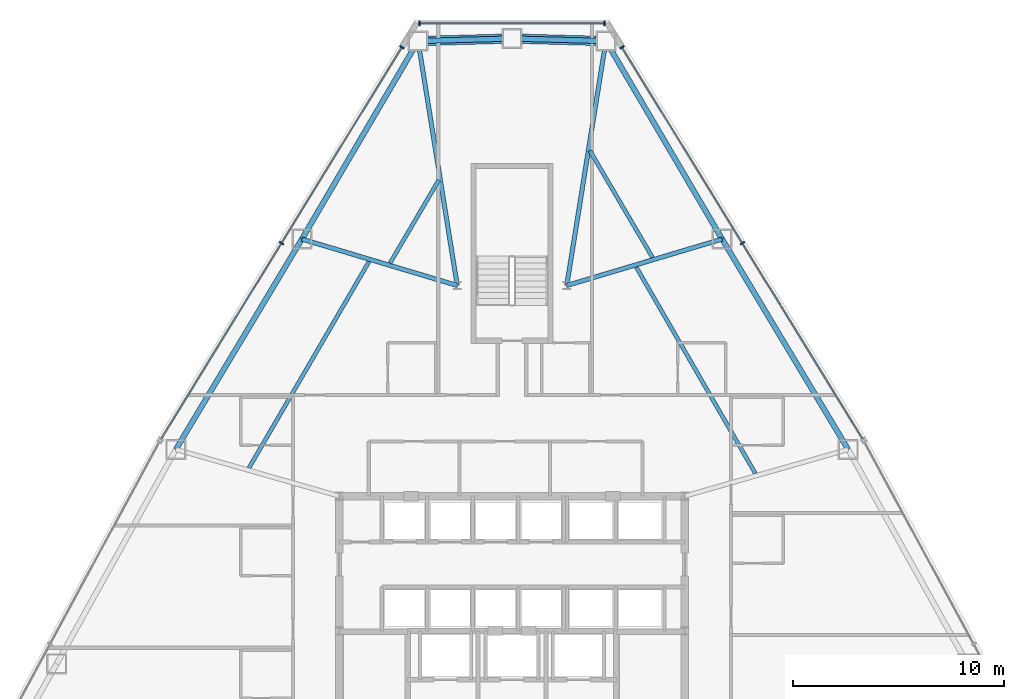
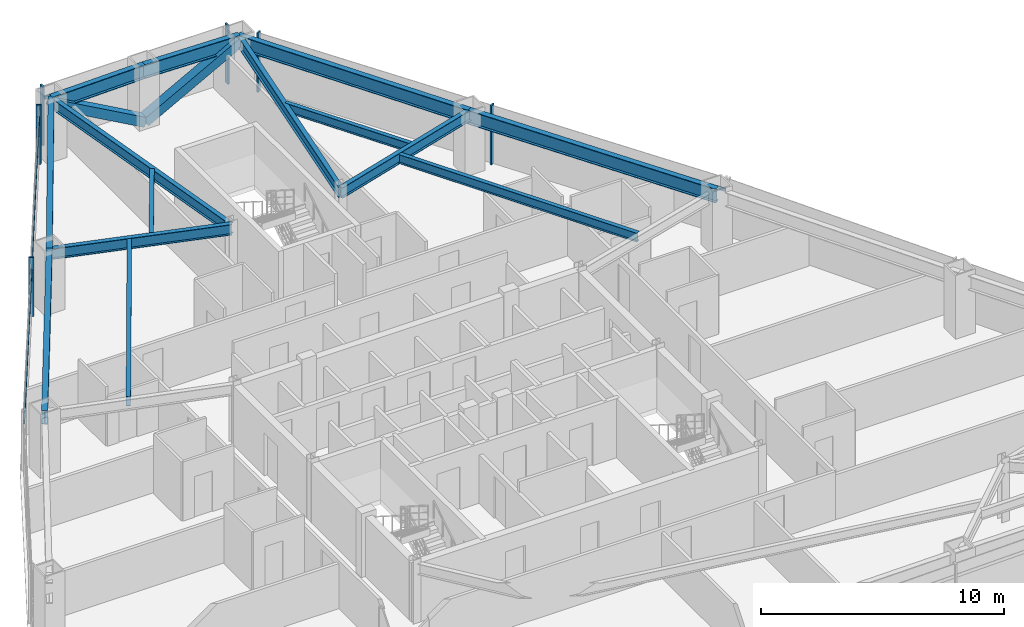
# One storey, part 7 of 13: 14 beams, 11 members, 3 elements without a shape of their own.
"""IFC4 building model written with IfcOpenShell, lengths in metres."""

from ifc_helpers import new_model, si_unit, direction, frame, origin, origin_2d, place, context, subcontext, project, spatial, rectangle, hollow_rectangle, i_section, extrude, source, transform, mapped, material, layer, layer_set, material_profile, profile_set, type_object, type_shapes, element, aggregate, save


model = new_model("IFC4")

# Units and contexts
model_context = context("Model", 3, precision=1e-05, world=origin(), true_north=direction((0.0, 1.0)))
body_context = subcontext(model_context, "Body", "Model", "MODEL_VIEW")
ifc_project = project(units=[si_unit("LENGTHUNIT", "METRE"), si_unit("AREAUNIT", "SQUARE_METRE"), si_unit("VOLUMEUNIT", "CUBIC_METRE"), si_unit("PLANEANGLEUNIT", "RADIAN"), si_unit("MASSUNIT", "GRAM", prefix="KILO")], contexts=[model_context])

# Site, building, storey
site_placement = place(None, origin())
site = spatial("IfcSite", under=ifc_project, at=site_placement, CompositionType="ELEMENT")
building_placement = place(site_placement, origin())
building = spatial("IfcBuilding", under=site, at=building_placement, Name="Varakhsha Concourse Tower", CompositionType="ELEMENT")
storey_placement = place(building_placement, frame((0.0, 0.0, 102.199951171875)))
storey = spatial("IfcBuildingStorey", under=building, at=storey_placement, Name="L29", CompositionType="ELEMENT", Elevation=102.199951171875)

# Beams
ifc_material_1 = material(Name="Structural Steel ASTM A992 Grade 50", Category="steel")
ifc_material_profile_1 = material_profile(ifc_material_1, i_section(OverallWidth=0.19091796875, OverallDepth=0.45703125, WebThickness=0.009033203125, FlangeThickness=0.013916015625, at=origin_2d()), Name="W18X50")
ifc_profile_set_1 = profile_set([ifc_material_profile_1], Name="Structural Steel ASTM A992 Grade 50")
beam_type_1 = type_object("IfcBeamType", Name="BM-JST-W18X50", PredefinedType="JOIST", material=ifc_profile_set_1)
beam_1_placement = place(storey_placement, frame((36.526611328125, 46.212646484375, 2.741455078125), z_axis=(-0.50607121558, -0.862491695474, 0.0), x_axis=(0.862491695474, -0.50607121558, 0.0)))
element("IfcBeam", 1, at=beam_1_placement, inside=storey, type_object=beam_type_1, Name="BM-TJST-L29-03", PredefinedType="JOIST", context=body_context, shape_type="SweptSolid", body=[
    extrude(i_section(OverallWidth=0.19091796875, OverallDepth=0.45703125, WebThickness=0.009033203125, FlangeThickness=0.013916015625, at=origin_2d()), origin(), (0.0, 0.0, 1.0), 4.57763671875),
])
beam_2_placement = place(storey_placement, frame((33.2138671875, 42.339111328125, 2.741455078125), z_axis=(-0.502984798182, -0.864295257882, 0.0), x_axis=(0.864295257882, -0.502984798182, 0.0)))
element("IfcBeam", 2, at=beam_2_placement, inside=storey, type_object=beam_type_1, Name="BM-TJST-L29-04", PredefinedType="JOIST", context=body_context, shape_type="SweptSolid", body=[
    extrude(i_section(OverallWidth=0.19091796875, OverallDepth=0.45703125, WebThickness=0.009033203125, FlangeThickness=0.013916015625, at=origin_2d()), origin(), (0.0, 0.0, 1.0), 11.342529296875),
])
beam_3_placement = place(storey_placement, frame((51.560302734375, 32.27001953125, 2.741455078125), z_axis=(-0.499938383188, 0.866060975345, 0.0), x_axis=(-0.866060975345, -0.499938383188, 0.0)))
element("IfcBeam", 3, at=beam_3_placement, inside=storey, type_object=beam_type_1, Name="BM-TJST-L29-17", PredefinedType="JOIST", context=body_context, shape_type="SweptSolid", body=[
    extrude(i_section(OverallWidth=0.19091796875, OverallDepth=0.45703125, WebThickness=0.009033203125, FlangeThickness=0.013916015625, at=origin_2d()), origin(), (0.0, 0.0, 1.0), 11.32080078125),
])
beam_4_placement = place(storey_placement, frame((46.67529296875, 42.529052734375, 2.741455078125), z_axis=(-0.506102653482, 0.862473248361, 0.0), x_axis=(-0.862473248361, -0.506102653482, 0.0)))
element("IfcBeam", 4, at=beam_4_placement, inside=storey, type_object=beam_type_1, Name="BM-TJST-L29-18", PredefinedType="JOIST", context=body_context, shape_type="SweptSolid", body=[
    extrude(i_section(OverallWidth=0.19091796875, OverallDepth=0.45703125, WebThickness=0.009033203125, FlangeThickness=0.013916015625, at=origin_2d()), origin(), (0.0, 0.0, 1.0), 5.88623046875),
])
ifc_material_profile_2 = material_profile(ifc_material_1, i_section(OverallWidth=0.2109375, OverallDepth=0.5390625, WebThickness=0.011962890625, FlangeThickness=0.01904296875, at=origin_2d()), Name="W21X73")
ifc_profile_set_2 = profile_set([ifc_material_profile_2], Name="Structural Steel ASTM A992 Grade 50")
beam_type_2 = type_object("IfcBeamType", Name="BM-RAD-W21X73", PredefinedType="BEAM", material=ifc_profile_set_2)
for number, where, z_axis, x_axis, name in (
    (5, (42.60009765625, 41.199951171875, 2.700439453125), (0.158084457656, 0.987425594284, 0.0), (-0.987425594284, 0.158084457656, 0.0), "L29 Radial Floor Girder 01"),
    (6, (37.39990234375, 41.199951171875, 2.700439453125), (-0.158084457656, 0.987425594284, 0.0), (-0.987425594284, -0.158084457656, 0.0), "L29 Radial Floor Girder 03"),
):
    element("IfcBeam", number, at=place(storey_placement, frame(where, z_axis=z_axis, x_axis=x_axis)), inside=storey, type_object=beam_type_2, Name=name, PredefinedType="BEAM", context=body_context, shape_type="SweptSolid", body=[
        extrude(i_section(OverallWidth=0.2109375, OverallDepth=0.5390625, WebThickness=0.011962890625, FlangeThickness=0.01904296875, at=origin_2d()), origin(), (0.0, 0.0, 1.0), 11.755615234375),
    ])
for number, where, z_axis, x_axis, name in (
    (7, (37.39990234375, 41.199951171875, 2.700439453125), (-0.958150359445, 0.286265416519, 0.0), (-0.286265416519, -0.958150359445, 0.0), "L29 Radial Floor Girder 04"),
    (8, (42.60009765625, 41.199951171875, 2.700439453125), (0.958150359445, 0.286265416519, 0.0), (-0.286265416519, 0.958150359445, 0.0), "L29 Radial Floor Girder 18"),
):
    element("IfcBeam", number, at=place(storey_placement, frame(where, z_axis=z_axis, x_axis=x_axis)), inside=storey, type_object=beam_type_2, Name=name, PredefinedType="BEAM", context=body_context, shape_type="SweptSolid", body=[
        extrude(i_section(OverallWidth=0.2109375, OverallDepth=0.5390625, WebThickness=0.011962890625, FlangeThickness=0.01904296875, at=origin_2d()), origin(), (0.0, 0.0, 1.0), 7.69873046875),
    ])
ifc_material_profile_3 = material_profile(ifc_material_1, i_section(OverallWidth=0.25390625, OverallDepth=0.701904296875, WebThickness=0.014892578125, FlangeThickness=0.028076171875, at=origin_2d()), Name="W27X129")
ifc_profile_set_3 = profile_set([ifc_material_profile_3], Name="Structural Steel ASTM A992 Grade 50")
beam_type_3 = type_object("IfcBeamType", Name="BM-SPAN-W27X129", PredefinedType="SPANDREL", material=ifc_profile_set_3)
for number, where, z_axis, x_axis, name in (
    (9, (44.45849609375, 52.807861328125, 2.619140625), (-0.999638755759, 0.026876718272, 0.0), (-0.026876718272, -0.999638755759, 0.0), "BM-SPAN-L29-01"),
    (10, (40.0, 52.927734375, 2.619140625), (-0.999638755759, -0.026876718272, 0.0), (0.026876718272, -0.999638755759, 0.0), "BM-SPAN-L29-02"),
):
    element("IfcBeam", number, at=place(storey_placement, frame(where, z_axis=z_axis, x_axis=x_axis)), inside=storey, type_object=beam_type_3, Name=name, PredefinedType="SPANDREL", context=body_context, shape_type="SweptSolid", body=[
        extrude(i_section(OverallWidth=0.25390625, OverallDepth=0.701904296875, WebThickness=0.014892578125, FlangeThickness=0.028076171875, at=origin_2d()), origin(), (0.0, 0.0, 1.0), 4.460205078125),
    ])
beam_5_placement = place(storey_placement, frame((35.54150390625, 52.807861328125, 2.619140625), z_axis=(-0.506084350655, -0.86248398827, 0.0), x_axis=(0.86248398827, -0.506084350655, 0.0)))
element("IfcBeam", 11, at=beam_5_placement, inside=storey, type_object=beam_type_3, Name="BM-SPAN-L29-03", PredefinedType="SPANDREL", context=body_context, shape_type="SweptSolid", body=[
    extrude(i_section(OverallWidth=0.25390625, OverallDepth=0.701904296875, WebThickness=0.014892578125, FlangeThickness=0.028076171875, at=origin_2d()), origin(), (0.0, 0.0, 1.0), 10.903564453125),
])
for number, where, z_axis, x_axis, name in (
    (12, (30.0234375, 43.40380859375, 2.619140625), (-0.513999251176, -0.857790632841, 0.0), (0.857790632841, -0.513999251176, 0.0), "BM-SPAN-L29-04"),
    (13, (55.961669921875, 33.41552734375, 2.619140625), (-0.513999251176, 0.857790632841, 0.0), (-0.857790632841, -0.513999251176, 0.0), "BM-SPAN-L29-17"),
):
    element("IfcBeam", number, at=place(storey_placement, frame(where, z_axis=z_axis, x_axis=x_axis)), inside=storey, type_object=beam_type_3, Name=name, PredefinedType="SPANDREL", context=body_context, shape_type="SweptSolid", body=[
        extrude(i_section(OverallWidth=0.25390625, OverallDepth=0.701904296875, WebThickness=0.014892578125, FlangeThickness=0.028076171875, at=origin_2d()), origin(), (0.0, 0.0, 1.0), 11.644287109375),
    ])
beam_6_placement = place(storey_placement, frame((49.9765625, 43.40380859375, 2.619140625), z_axis=(-0.506084350655, 0.86248398827, 0.0), x_axis=(-0.86248398827, -0.506084350655, 0.0)))
element("IfcBeam", 14, at=beam_6_placement, inside=storey, type_object=beam_type_3, Name="BM-SPAN-L29-18", PredefinedType="SPANDREL", context=body_context, shape_type="SweptSolid", body=[
    extrude(i_section(OverallWidth=0.25390625, OverallDepth=0.701904296875, WebThickness=0.014892578125, FlangeThickness=0.028076171875, at=origin_2d()), origin(), (0.0, 0.0, 1.0), 10.903564453125),
])

# Members
ifc_material_2 = material(Name="Structural Steel ASTM A500 Grade C", Category="steel")
ifc_material_profile_4 = material_profile(ifc_material_2, hollow_rectangle(XDim=0.449951171875, YDim=0.449951171875, WallThickness=0.01904296875, at=origin_2d()), Name="HSS 450x450x19")
ifc_profile_set_4 = profile_set([ifc_material_profile_4], Name="Structural Steel ASTM A500 Grade C")
member_type_1 = type_object("IfcMemberType", Name="MB-TUBE-HSS450", PredefinedType="BRACE", material=ifc_profile_set_4)
shared_shape_1 = source(origin(), body_context, "Body", "SweptSolid", [
    extrude(hollow_rectangle(XDim=0.449951171875, YDim=0.449951171875, WallThickness=0.01904296875, at=origin_2d()), origin(), (0.0, 0.0, 1.0), 5.1376953125),
])
type_shapes(member_type_1, [shared_shape_1])
for number, where, z_axis, x_axis, name in (
    (15, (40.0, 52.927734375, 0.1201171875), (0.867810778651, -0.023332334482, 0.496346708083), (0.026876718272, 0.999638755759, 0.0), "L29 Wind-Corner Tube Brace B01"),
    (16, (40.0, 52.927734375, 0.1201171875), (-0.867810778651, -0.023332334482, 0.496346708083), (0.026876718272, -0.999638755759, 0.0), "L29 Wind-Corner Tube Brace B02"),
):
    element("IfcMember", number, at=place(storey_placement, frame(where, z_axis=z_axis, x_axis=x_axis)), inside=storey, type_object=member_type_1, Name=name, PredefinedType="BRACE", context=body_context, shape_type="MappedRepresentation", body=[
        mapped(shared_shape_1, transform((0.0, 0.0, 0.0), scale=1.0)),
    ])

# Curtain wall, members
ifc_material_3 = material(Name="Anodised Bronze Architectural Aluminium AA 6063-T6", Category="aluminium")
ifc_layer = layer(ifc_material_3, 0.199951171875, Name="CW-SYS-03")
ifc_layer_set = layer_set([ifc_layer], Name="Anodised Bronze Architectural Aluminium AA 6063-T6")
curtain_wall_type = type_object("IfcCurtainWallType", Name="CW-SYS-03", PredefinedType="NOTDEFINED", material=ifc_layer_set)
curtain_wall_1_placement = place(storey_placement, origin())
curtain_wall_1 = element("IfcCurtainWall", 17, at=curtain_wall_1_placement, inside=storey, type_object=curtain_wall_type, Name="L29 Chamfer Curtain Wall F1", PredefinedType="NOTDEFINED")
ifc_material_profile_5 = material_profile(ifc_material_3, rectangle(XDim=0.074951171875, YDim=0.219970703125, at=origin_2d()), Name="CWM-220X75")
ifc_profile_set_5 = profile_set([ifc_material_profile_5], Name="Anodised Bronze Architectural Aluminium AA 6063-T6")
member_type_2 = type_object("IfcMemberType", Name="CWM-220X75", PredefinedType="MULLION", material=ifc_profile_set_5)
shared_shape_2 = source(origin(), body_context, "Body", "SweptSolid", [
    extrude(rectangle(XDim=0.074951171875, YDim=0.219970703125, at=origin_2d()), origin(), (0.0, 0.0, 1.0), 2.969970703125),
])
type_shapes(member_type_2, [shared_shape_2])
member_1_placement = place(storey_placement, frame((35.605712890625, 53.647705078125, 0.0), z_axis=(0.0, 0.0, 1.0), x_axis=(1.0, 0.0, 0.0)))
member_1 = element("IfcMember", 18, at=member_1_placement, type_object=member_type_2, Name="CW-L29-F1 Mullion 00", PredefinedType="MULLION", context=body_context, shape_type="MappedRepresentation", body=[
    mapped(shared_shape_2, transform((0.0, 0.0, 0.0), scale=1.0)),
])
member_2_placement = place(storey_placement, frame((44.394287109375, 53.647705078125, 0.0), z_axis=(0.0, 0.0, 1.0), x_axis=(1.0, 0.0, 0.0)))
member_2 = element("IfcMember", 19, at=member_2_placement, type_object=member_type_2, Name="CW-L29-F1 Mullion 01", PredefinedType="MULLION", context=body_context, shape_type="MappedRepresentation", body=[
    mapped(shared_shape_2, transform((0.0, 0.0, 0.0), scale=1.0)),
])

curtain_wall_2_placement = place(storey_placement, origin())
curtain_wall_2 = element("IfcCurtainWall", 20, at=curtain_wall_2_placement, inside=storey, type_object=curtain_wall_type, Name="L29 Crystal Curtain Wall F2", PredefinedType="NOTDEFINED")
member_3_placement = place(storey_placement, frame((29.059326171875, 43.210205078125, 0.0), z_axis=(0.0, 0.0, 1.0), x_axis=(0.523664775253, 0.851924411646, 0.0)))
member_3 = element("IfcMember", 21, at=member_3_placement, type_object=member_type_2, Name="CW-L29-F2 Mullion 01", PredefinedType="MULLION", context=body_context, shape_type="MappedRepresentation", body=[
    mapped(shared_shape_2, transform((0.0, 0.0, 0.0), scale=1.0)),
])
member_4_placement = place(storey_placement, frame((34.7783203125, 52.514404296875, 0.0), z_axis=(0.0, 0.0, 1.0), x_axis=(0.523664775253, 0.851924411646, 0.0)))
member_4 = element("IfcMember", 22, at=member_4_placement, type_object=member_type_2, Name="CW-L29-F2 Mullion 02", PredefinedType="MULLION", context=body_context, shape_type="MappedRepresentation", body=[
    mapped(shared_shape_2, transform((0.0, 0.0, 0.0), scale=1.0)),
])

curtain_wall_3_placement = place(storey_placement, origin())
curtain_wall_3 = element("IfcCurtainWall", 23, at=curtain_wall_3_placement, inside=storey, type_object=curtain_wall_type, Name="L29 Crystal Curtain Wall F9", PredefinedType="NOTDEFINED")
member_5_placement = place(storey_placement, frame((45.2216796875, 52.514404296875, 0.0), z_axis=(0.0, 0.0, 1.0), x_axis=(0.523664775253, -0.851924411646, 0.0)))
member_5 = element("IfcMember", 24, at=member_5_placement, type_object=member_type_2, Name="CW-L29-F9 Mullion 00", PredefinedType="MULLION", context=body_context, shape_type="MappedRepresentation", body=[
    mapped(shared_shape_2, transform((0.0, 0.0, 0.0), scale=1.0)),
])
member_6_placement = place(storey_placement, frame((50.94091796875, 43.210205078125, 0.0), z_axis=(0.0, 0.0, 1.0), x_axis=(0.523664775253, -0.851924411646, 0.0)))
member_6 = element("IfcMember", 25, at=member_6_placement, type_object=member_type_2, Name="CW-L29-F9 Mullion 01", PredefinedType="MULLION", context=body_context, shape_type="MappedRepresentation", body=[
    mapped(shared_shape_2, transform((0.0, 0.0, 0.0), scale=1.0)),
])

# Member
ifc_material_profile_6 = material_profile(ifc_material_3, rectangle(XDim=0.06494140625, YDim=0.159912109375, at=origin_2d()), Name="CWT-160X65")
ifc_profile_set_6 = profile_set([ifc_material_profile_6], Name="Anodised Bronze Architectural Aluminium AA 6063-T6")
member_type_3 = type_object("IfcMemberType", Name="CWT-160X65", PredefinedType="USERDEFINED", material=ifc_profile_set_6)
shared_shape_3 = source(origin(), body_context, "Body", "SweptSolid", [
    extrude(rectangle(XDim=0.06494140625, YDim=0.159912109375, at=origin_2d()), origin(), (0.0, 0.0, 1.0), 8.78857421875),
])
member_7_placement = place(storey_placement, frame((35.605712890625, 53.647705078125, 2.320068359375), z_axis=(1.0, 0.0, 0.0), x_axis=(0.0, 1.0, 0.0)))
member_7 = element("IfcMember", 26, at=member_7_placement, type_object=member_type_3, Name="CW-L29-F1 Transom 01", ObjectType="TRANSOM", PredefinedType="USERDEFINED", context=body_context, shape_type="MappedRepresentation", body=[
    mapped(shared_shape_3, transform((0.0, 0.0, 0.0), scale=1.0)),
])

aggregate(curtain_wall_1, [member_1, member_2, member_7])

shared_shape_4 = source(origin(), body_context, "Body", "SweptSolid", [
    extrude(rectangle(XDim=0.06494140625, YDim=0.159912109375, at=origin_2d()), origin(), (0.0, 0.0, 1.0), 21.8427734375),
])
type_shapes(member_type_3, [shared_shape_3, shared_shape_4])
member_8_placement = place(storey_placement, frame((23.340087890625, 33.906005859375, 2.320068359375), z_axis=(0.523662694099, 0.851925690896, 0.0), x_axis=(-0.851925690896, 0.523662694099, 0.0)))
member_8 = element("IfcMember", 27, at=member_8_placement, type_object=member_type_3, Name="CW-L29-F2 Transom 01", ObjectType="TRANSOM", PredefinedType="USERDEFINED", context=body_context, shape_type="MappedRepresentation", body=[
    mapped(shared_shape_4, transform((0.0, 0.0, 0.0), scale=1.0)),
])

aggregate(curtain_wall_2, [member_3, member_4, member_8])

member_9_placement = place(storey_placement, frame((45.2216796875, 52.514404296875, 2.320068359375), z_axis=(0.523662694099, -0.851925690896, 0.0), x_axis=(0.851925690896, 0.523662694099, 0.0)))
member_9 = element("IfcMember", 28, at=member_9_placement, type_object=member_type_3, Name="CW-L29-F9 Transom 01", ObjectType="TRANSOM", PredefinedType="USERDEFINED", context=body_context, shape_type="MappedRepresentation", body=[
    mapped(shared_shape_4, transform((0.0, 0.0, 0.0), scale=1.0)),
])

aggregate(curtain_wall_3, [member_5, member_6, member_9])

save(model, "model.ifc")
